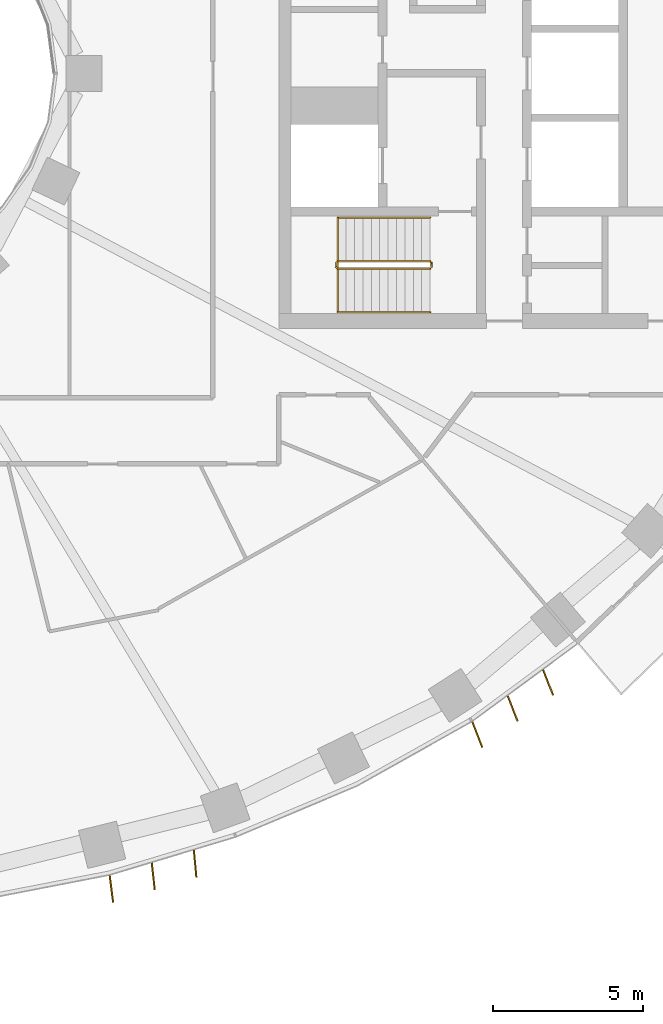
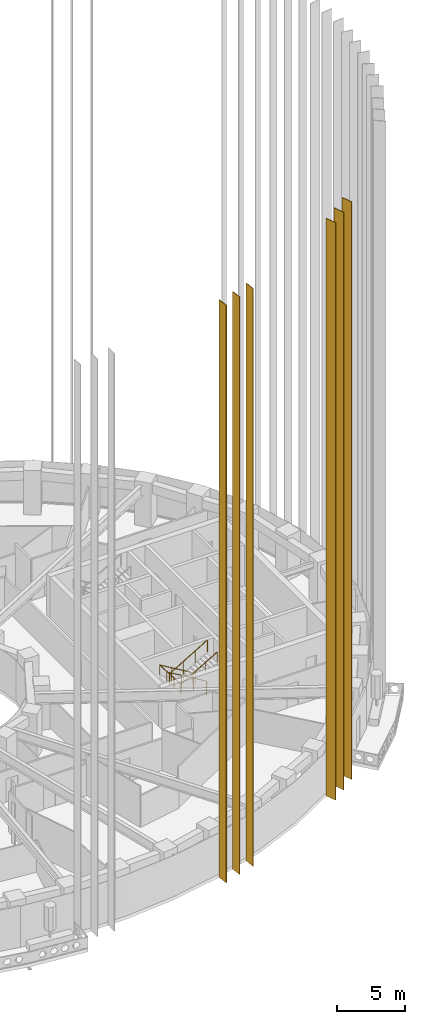
# One storey, part 16 of 20: 6 coverings, 2 railings.
"""IFC4 building model written with IfcOpenShell, lengths in metres."""

from ifc_helpers import new_model, si_unit, direction, frame, origin, origin_2d, place, context, subcontext, project, spatial, rectangle, extrude, material, material_profile, profile_set, type_object, element, save


model = new_model("IFC4")

# Units and contexts
model_context = context("Model", 3, precision=1e-05, world=origin(), true_north=direction((0.0, 1.0)))
body_context = subcontext(model_context, "Body", "Model", "MODEL_VIEW")
ifc_project = project(units=[si_unit("LENGTHUNIT", "METRE"), si_unit("AREAUNIT", "SQUARE_METRE"), si_unit("VOLUMEUNIT", "CUBIC_METRE"), si_unit("PLANEANGLEUNIT", "RADIAN"), si_unit("MASSUNIT", "GRAM", prefix="KILO")], contexts=[model_context])

# Site, building, storey
site_placement = place(None, origin())
site = spatial("IfcSite", under=ifc_project, at=site_placement, CompositionType="ELEMENT")
building_placement = place(site_placement, origin())
building = spatial("IfcBuilding", under=site, at=building_placement, Name="Noorbagh Ring Tower", CompositionType="ELEMENT")
storey_placement = place(building_placement, frame((0.0, 0.0, 88.0)))
storey = spatial("IfcBuildingStorey", under=building, at=storey_placement, Name="L19", CompositionType="ELEMENT", Elevation=88.0)

# Railings
ifc_material_1 = material(Name="Stainless steel", Category="steel")
railing_type_1 = type_object("IfcRailingType", Name="CORE-STAIR-GUARD", PredefinedType="GUARDRAIL", material=ifc_material_1)
railing_1_placement = place(storey_placement, frame((21.580078125, -6.300048828125, 0.0)))
element("IfcRailing", 1, at=railing_1_placement, inside=storey, type_object=railing_type_1, Name="L19 ST4 stair guard", PredefinedType="GUARDRAIL", context=body_context, shape_type="SweptSolid", body=[
    extrude(rectangle(XDim=0.048095703125, YDim=0.048095703125, at=origin_2d()), frame((0.0, 0.0, 1.076171875), z_axis=(0.0, -1.0, 0.0), x_axis=(1.0, 0.0, 0.0)), (0.0, 0.0, 1.0), 0.14990234375),
    extrude(rectangle(XDim=0.048095703125, YDim=0.048095703125, at=origin_2d()), frame((0.0, -0.14990234375, 1.076171875), z_axis=(-0.188775798145, 0.754182335027, 0.628945707965), x_axis=(-0.970072785993, -0.242814311512, 0.0)), (0.0, 0.0, 1.0), 0.26513671875),
    extrude(rectangle(XDim=0.048095703125, YDim=0.048095703125, at=origin_2d()), frame((-0.050048828125, 0.050048828125, 1.24267578125), z_axis=(-0.859308565015, 0.0, 0.511457515432), x_axis=(0.0, -1.0, 0.0)), (0.0, 0.0, 1.0), 3.58447265625),
    extrude(rectangle(XDim=0.048095703125, YDim=0.048095703125, at=origin_2d()), frame((-3.130126953125, 0.050048828125, 3.076171875), z_axis=(-0.707106781187, -0.707106781187, 0.0), x_axis=(0.707106781187, -0.707106781187, 0.0)), (0.0, 0.0, 1.0), 0.07080078125),
    extrude(rectangle(XDim=0.048095703125, YDim=0.048095703125, at=origin_2d()), frame((-3.18017578125, 0.0, 3.076171875), z_axis=(0.0, -1.0, 0.0), x_axis=(1.0, 0.0, 0.0)), (0.0, 0.0, 1.0), 0.14990234375),
    extrude(rectangle(XDim=0.048095703125, YDim=0.048095703125, at=origin_2d()), frame((-3.18017578125, -0.14990234375, 3.076171875), z_axis=(0.27628659633, -0.27628659633, 0.920506074601), x_axis=(0.707106781187, 0.707106781187, 0.0)), (0.0, 0.0, 1.0), 0.18115234375),
    extrude(rectangle(XDim=0.048095703125, YDim=0.048095703125, at=origin_2d()), frame((-3.130126953125, -0.199951171875, 3.24267578125), z_axis=(0.859308565015, 0.0, 0.511457515432), x_axis=(0.0, 1.0, 0.0)), (0.0, 0.0, 1.0), 3.58447265625),
    extrude(rectangle(XDim=0.0419921875, YDim=0.0419921875, at=origin_2d()), origin(), (0.0, 0.0, 1.0), 1.052001953125),
    extrude(rectangle(XDim=0.0419921875, YDim=0.0419921875, at=origin_2d()), frame((-1.07666015625, 0.050048828125, 0.77783203125)), (0.0, 0.0, 1.0), 1.052001953125),
    extrude(rectangle(XDim=0.0419921875, YDim=0.0419921875, at=origin_2d()), frame((-2.103515625, 0.050048828125, 1.388916015625)), (0.0, 0.0, 1.0), 1.052001953125),
    extrude(rectangle(XDim=0.0419921875, YDim=0.0419921875, at=origin_2d()), frame((-3.130126953125, 0.050048828125, 2.0)), (0.0, 0.0, 1.0), 1.052001953125),
    extrude(rectangle(XDim=0.0419921875, YDim=0.0419921875, at=origin_2d()), frame((-3.130126953125, -0.199951171875, 2.166748046875)), (0.0, 0.0, 1.0), 1.052001953125),
    extrude(rectangle(XDim=0.0419921875, YDim=0.0419921875, at=origin_2d()), frame((-2.103515625, -0.199951171875, 2.77783203125)), (0.0, 0.0, 1.0), 1.052001953125),
    extrude(rectangle(XDim=0.0419921875, YDim=0.0419921875, at=origin_2d()), frame((-1.07666015625, -0.199951171875, 3.388916015625)), (0.0, 0.0, 1.0), 1.052001953125),
    extrude(rectangle(XDim=0.0419921875, YDim=0.0419921875, at=origin_2d()), frame((-0.050048828125, -0.199951171875, 4.0)), (0.0, 0.0, 1.0), 1.052001953125),
])
ifc_material_2 = material(Name="Stainless steel", Category="steel")
railing_type_2 = type_object("IfcRailingType", Name="CORE-STAIR-HANDRAIL", PredefinedType="HANDRAIL", material=ifc_material_2)
railing_2_placement = place(storey_placement, frame((21.530029296875, -4.800048828125, 0.166748046875)))
element("IfcRailing", 2, at=railing_2_placement, inside=storey, type_object=railing_type_2, Name="L19 ST4 stair handrail", PredefinedType="HANDRAIL", context=body_context, shape_type="SweptSolid", body=[
    extrude(rectangle(XDim=0.048095703125, YDim=0.048095703125, at=origin_2d()), frame((0.0, 0.0, 0.8759765625), z_axis=(-0.859308565015, 0.0, 0.511457515432), x_axis=(0.0, -1.0, 0.0)), (0.0, 0.0, 1.0), 3.58447265625),
    extrude(rectangle(XDim=0.048095703125, YDim=0.048095703125, at=origin_2d()), frame((-3.080078125, 0.0, 2.708984375), z_axis=(0.0, -0.998601747152, 0.052863509014), x_axis=(1.0, 0.0, 0.0)), (0.0, 0.0, 1.0), 3.154296875),
    extrude(rectangle(XDim=0.048095703125, YDim=0.048095703125, at=origin_2d()), frame((-3.080078125, -3.14990234375, 2.8759765625), z_axis=(0.859308565015, 0.0, 0.511457515432), x_axis=(0.0, 1.0, 0.0)), (0.0, 0.0, 1.0), 3.58447265625),
    extrude(rectangle(XDim=0.0419921875, YDim=0.0419921875, at=origin_2d()), origin(), (0.0, 0.0, 1.0), 0.851806640625),
    extrude(rectangle(XDim=0.0419921875, YDim=0.0419921875, at=origin_2d()), frame((-1.026611328125, 0.0, 0.611083984375)), (0.0, 0.0, 1.0), 0.851806640625),
    extrude(rectangle(XDim=0.0419921875, YDim=0.0419921875, at=origin_2d()), frame((-2.053466796875, 0.0, 1.22216796875)), (0.0, 0.0, 1.0), 0.851806640625),
    extrude(rectangle(XDim=0.0419921875, YDim=0.0419921875, at=origin_2d()), frame((-3.080078125, 0.0, 1.833251953125)), (0.0, 0.0, 1.0), 0.851806640625),
    extrude(rectangle(XDim=0.0419921875, YDim=0.0419921875, at=origin_2d()), frame((-3.080078125, -1.050048828125, 1.888916015625)), (0.0, 0.0, 1.0), 0.851806640625),
    extrude(rectangle(XDim=0.0419921875, YDim=0.0419921875, at=origin_2d()), frame((-3.080078125, -2.099853515625, 1.9443359375)), (0.0, 0.0, 1.0), 0.851806640625),
    extrude(rectangle(XDim=0.0419921875, YDim=0.0419921875, at=origin_2d()), frame((-3.080078125, -3.14990234375, 2.0)), (0.0, 0.0, 1.0), 0.851806640625),
    extrude(rectangle(XDim=0.0419921875, YDim=0.0419921875, at=origin_2d()), frame((-2.053466796875, -3.14990234375, 2.611083984375)), (0.0, 0.0, 1.0), 0.851806640625),
    extrude(rectangle(XDim=0.0419921875, YDim=0.0419921875, at=origin_2d()), frame((-1.026611328125, -3.14990234375, 3.22216796875)), (0.0, 0.0, 1.0), 0.851806640625),
    extrude(rectangle(XDim=0.0419921875, YDim=0.0419921875, at=origin_2d()), frame((0.0, -3.14990234375, 3.833251953125)), (0.0, 0.0, 1.0), 0.851806640625),
])

# Coverings
ifc_material_3 = material(Name="Aluminium 6063-T6 black anodised", Category="aluminium")
ifc_material_profile = material_profile(ifc_material_3, rectangle(XDim=0.89990234375, YDim=0.050048828125, at=origin_2d()), Name="900x50")
ifc_profile_set = profile_set([ifc_material_profile], Name="Aluminium 6063-T6 black anodised")
covering_type = type_object("IfcCoveringType", Name="ENV-FIN", PredefinedType="CLADDING", material=ifc_profile_set)
for number, where, z_axis, x_axis, name in (
    (3, (10.923583984375, -27.14501953125, -0.284912109375), (0.0, 0.0, 1.0), (0.126759493419, -0.99193348105, 0.0), "Fin F38 1 L19-L31"),
    (4, (12.31591796875, -26.72509765625, -0.284912109375), (0.0, 0.0, 1.0), (0.109101232004, -0.994030643982, 0.0), "Fin F38 2 L19-L31"),
    (5, (13.708740234375, -26.304931640625, -0.284912109375), (0.0, 0.0, 1.0), (0.092918421481, -0.995673725148, 0.0), "Fin F38 3 L19-L31"),
    (6, (23.100830078125, -22.00830078125, -0.284912109375), (0.0, 0.0, 1.0), (0.365038143381, -0.930992563814, 0.0), "Fin F41 1 L19-L31"),
    (7, (24.277587890625, -21.1416015625, -0.284912109375), (0.0, 0.0, 1.0), (0.364533046139, -0.931190452202, 0.0), "Fin F41 2 L19-L31"),
    (8, (25.455078125, -20.2744140625, -0.284912109375), (0.0, 0.0, 1.0), (0.366046969104, -0.930596376745, 0.0), "Fin F41 3 L19-L31"),
):
    element("IfcCovering", number, at=place(storey_placement, frame(where, z_axis=z_axis, x_axis=x_axis)), inside=storey, type_object=covering_type, Name=name, ObjectType="FIN", PredefinedType="CLADDING", context=body_context, shape_type="SweptSolid", body=[
        extrude(rectangle(XDim=0.89990234375, YDim=0.050048828125, at=origin_2d()), origin(), (0.0, 0.0, 1.0), 51.969970703125),
    ])

save(model, "model.ifc")
